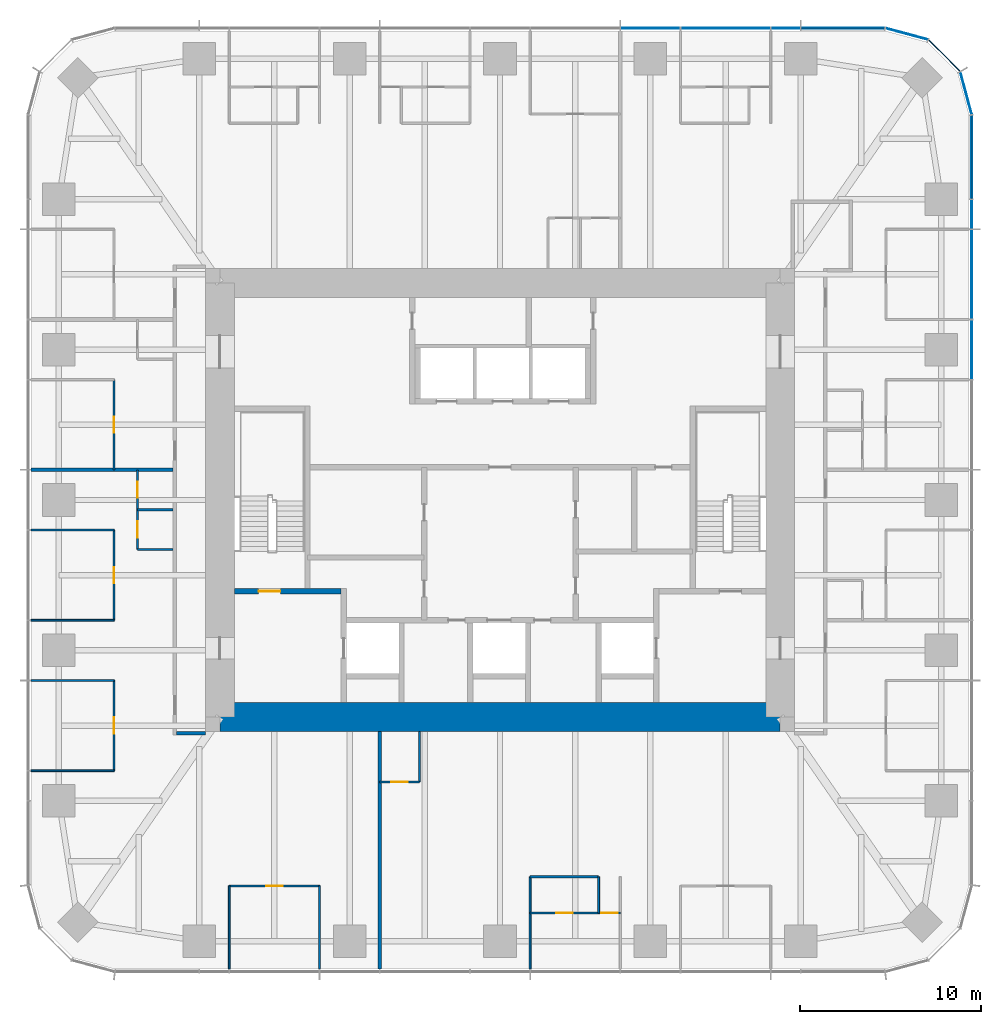
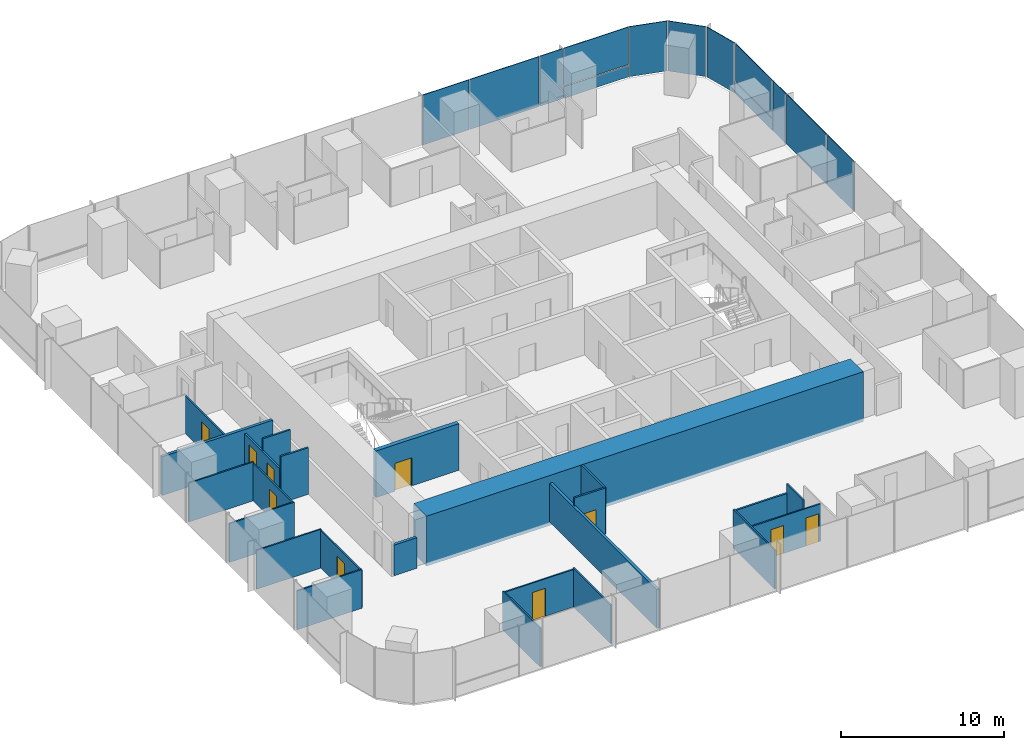
# One storey, part 8 of 12: 24 walls, 13 plates, 10 doors, 10 openings, 3 elements without a shape of their own.
"""IFC4 building model written with IfcOpenShell, lengths in metres."""

import ifcopenshell
import ifcopenshell.guid

model = None  # the IFC model being written
_history = None  # IfcOwnerHistory: only IFC2X3 demands one
_inside = {}  # id of a spatial element -> (the spatial element, [elements in it])
_under = {}  # id of a project, library or spatial element -> (it, [spatial elements below it])
_declared = {}  # id of a project -> (the project, [libraries it declares])
_typed = {}  # id of a type object -> (the type object, [elements of that type])
_made_of = {}  # id of a material, layer set ... -> (it, [elements and type objects made of it])


def new_model(schema):
    """Start an empty IFC model of exactly this schema.

    Asked for "IFC4X3", IfcOpenShell would pick the latest addendum, in which some entities
    have other attributes; the version numbers below select the first issue.
    IFC2X3 requires an IfcOwnerHistory on every rooted entity: one is made here for all.
    """
    global model, _history
    if schema == "IFC4X3":
        model = ifcopenshell.file(schema_version=(4, 3, 0, 0))
    else:
        model = ifcopenshell.file(schema=schema)
    _inside.clear()
    _under.clear()
    _declared.clear()
    _typed.clear()
    _made_of.clear()
    _history = None
    if model.schema == "IFC2X3":
        org = make("IfcOrganization", Name="unknown")
        user = make(
            "IfcPersonAndOrganization",
            ThePerson=make("IfcPerson", FamilyName="unknown"),
            TheOrganization=org,
        )
        app = make(
            "IfcApplication",
            ApplicationDeveloper=org,
            Version="unknown",
            ApplicationFullName="unknown",
            ApplicationIdentifier="unknown",
        )
        _history = make(
            "IfcOwnerHistory",
            OwningUser=user,
            OwningApplication=app,
            ChangeAction="ADDED",
            CreationDate=0,
        )
    return model


def make(cls, **values):
    """One entity of the class cls with the attributes given. An attribute that is None is left unset."""
    return model.create_entity(
        cls, **{name: value for name, value in values.items() if value is not None}
    )


def rooted(cls, **values):
    """An entity with a GlobalId (a new one), such as an element, a storey or a relation."""
    return make(cls, GlobalId=ifcopenshell.guid.new(), OwnerHistory=_history, **values)


def si_unit(unit_type, name, prefix=None):
    """IfcSIUnit, for example si_unit("LENGTHUNIT", "METRE", prefix="MILLI")."""
    return make("IfcSIUnit", UnitType=unit_type, Prefix=prefix, Name=name)


def assignment(units):
    """IfcUnitAssignment: the units of a project."""
    return None if units is None else make("IfcUnitAssignment", Units=units)


def point(xyz):
    """IfcCartesianPoint."""
    return None if xyz is None else make("IfcCartesianPoint", Coordinates=xyz)


def direction(xyz):
    """IfcDirection."""
    return None if xyz is None else make("IfcDirection", DirectionRatios=xyz)


def frame(location, z_axis=None, x_axis=None):
    """IfcAxis2Placement3D, a coordinate frame: its origin and axes. An axis left out is left unset."""
    return make(
        "IfcAxis2Placement3D",
        Location=point(location),
        Axis=direction(z_axis),
        RefDirection=direction(x_axis),
    )


def frame_2d(location, x_axis=None):
    """IfcAxis2Placement2D, a coordinate frame in the plane: its origin and x axis."""
    return make(
        "IfcAxis2Placement2D", Location=point(location), RefDirection=direction(x_axis)
    )


def origin():
    """The frame at (0, 0, 0) with its axes left unset."""
    return frame((0.0, 0.0, 0.0))


def origin_2d():
    """The frame at (0, 0) in the plane with its x axis left unset."""
    return frame_2d((0.0, 0.0))


def place(relative_to, where):
    """IfcLocalPlacement: puts the frame where relative to a parent placement (None: the world)."""
    return make(
        "IfcLocalPlacement", PlacementRelTo=relative_to, RelativePlacement=where
    )


def context(
    kind, dimensions, precision=None, world=None, true_north=None, identifier=None
):
    """IfcGeometricRepresentationContext, for example the 3D "Model" context."""
    return make(
        "IfcGeometricRepresentationContext",
        ContextIdentifier=identifier,
        ContextType=kind,
        CoordinateSpaceDimension=dimensions,
        Precision=precision,
        WorldCoordinateSystem=world,
        TrueNorth=true_north,
    )


def subcontext(parent, identifier, kind, view, scale=None):
    """IfcGeometricRepresentationSubContext, for example "Body" below "Model"."""
    return make(
        "IfcGeometricRepresentationSubContext",
        ContextIdentifier=identifier,
        ContextType=kind,
        ParentContext=parent,
        TargetScale=scale,
        TargetView=view,
    )


def project(units=None, contexts=None):
    """IfcProject with its units and contexts."""
    return rooted(
        "IfcProject",
        Name="project",
        RepresentationContexts=contexts,
        UnitsInContext=assignment(units),
    )


def spatial(cls, under=None, at=None, **own):
    """A site, building, storey or space (cls), placed at a placement, below another one or the project."""
    s = rooted(cls, ObjectPlacement=at, **own)
    if under is not None:
        _under.setdefault(under.id(), (under, []))[1].append(s)
    return s


def profile(cls, at=None, kind="AREA", **sizes):
    """A parametric profile (cls). Its sizes go by their IFC names, for example OverallWidth=200.0."""
    return make(cls, ProfileType=kind, Position=at, **sizes)


def rectangle(**sizes):
    """IfcRectangleProfileDef."""
    return profile("IfcRectangleProfileDef", **sizes)


def extrude(swept, where, along, depth):
    """IfcExtrudedAreaSolid: the profile swept, set in the frame where, extruded along a direction by depth."""
    return make(
        "IfcExtrudedAreaSolid",
        SweptArea=swept,
        Position=where,
        ExtrudedDirection=direction(along),
        Depth=depth,
    )


def shape(context_of_items, identifier, shape_type, items):
    """IfcShapeRepresentation: the items that make up one representation, for example the "Body"."""
    return make(
        "IfcShapeRepresentation",
        ContextOfItems=context_of_items,
        RepresentationIdentifier=identifier,
        RepresentationType=shape_type,
        Items=items,
    )


def material(Name=None, Category=None):
    """IfcMaterial."""
    return make("IfcMaterial", Name=Name, Category=Category)


def layer(
    of_material, thickness, ventilated=None, Name=None, Category=None, Priority=None
):
    """IfcMaterialLayer: one layer of a wall or slab, of a material (None: an air gap)."""
    return make(
        "IfcMaterialLayer",
        Material=of_material,
        LayerThickness=thickness,
        IsVentilated=ventilated,
        Name=Name,
        Category=Category,
        Priority=Priority,
    )


def layer_set(layers, Name=None):
    """IfcMaterialLayerSet."""
    return make("IfcMaterialLayerSet", MaterialLayers=layers, LayerSetName=Name)


def made_of(thing, what):
    """Note that an element or type object is made of a material, layer set ...; save() writes the relation."""
    if what is not None:
        _made_of.setdefault(what.id(), (what, []))[1].append(thing)
    return thing


def type_object(cls, material=None, **own):
    """A type object (cls), such as IfcWallType, which elements share."""
    return made_of(rooted(cls, **own), material)


def element(
    cls,
    number,
    at=None,
    inside=None,
    cuts=None,
    type_object=None,
    material=None,
    context=None,
    identifier="Body",
    shape_type=None,
    held_by="IfcProductDefinitionShape",
    body=None,
    shapes=None,
    **own,
):
    """One element of the class cls, such as IfcWall. Its Tag is "e" and its number.

    at: its placement. inside: the storey or other place that contains it. cuts: it is an
    opening in that element (IfcRelVoidsElement). A single representation is given by context,
    identifier, shape_type and body (its items); several are given by shapes. held_by: the class
    of the entity that holds the representations. save() writes the other relations.
    """
    e = rooted(cls, Tag="e%d" % number, ObjectPlacement=at, **own)
    if body is not None:
        shapes = [shape(context, identifier, shape_type, body)]
    if shapes is not None:
        e.Representation = make(held_by, Representations=shapes)
    if inside is not None:
        _inside.setdefault(inside.id(), (inside, []))[1].append(e)
    if cuts is not None:
        rooted(
            "IfcRelVoidsElement", RelatingBuildingElement=cuts, RelatedOpeningElement=e
        )
    if type_object is not None:
        _typed.setdefault(type_object.id(), (type_object, []))[1].append(e)
    return made_of(e, material)


def fill(opening, filler):
    """IfcRelFillsElement: the door or window that sits in an opening."""
    return rooted(
        "IfcRelFillsElement",
        RelatingOpeningElement=opening,
        RelatedBuildingElement=filler,
    )


def aggregate(whole, parts):
    """IfcRelAggregates: a whole, such as a stair, and the parts it consists of."""
    return rooted("IfcRelAggregates", RelatingObject=whole, RelatedObjects=parts)


def save(model, path):
    """Write the relations noted so far, then the file.

    IfcRelAggregates (storeys below a building ...), IfcRelContainedInSpatialStructure (elements
    in a storey), IfcRelDefinesByType, IfcRelAssociatesMaterial and IfcRelDeclares: one each for
    every whole, place, type object, material and project.
    """
    for whole, parts in _under.values():
        aggregate(whole, parts)
    for where, things in _inside.values():
        rooted(
            "IfcRelContainedInSpatialStructure",
            RelatedElements=things,
            RelatingStructure=where,
        )
    for kind, things in _typed.values():
        rooted("IfcRelDefinesByType", RelatedObjects=things, RelatingType=kind)
    for what, things in _made_of.values():
        rooted("IfcRelAssociatesMaterial", RelatedObjects=things, RelatingMaterial=what)
    for by, libraries in _declared.values():
        rooted("IfcRelDeclares", RelatingContext=by, RelatedDefinitions=libraries)
    model.write(path)


model = new_model("IFC4")

# Units and contexts
model_context = context("Model", 3, precision=1e-05, world=origin(), true_north=direction((0.0, 1.0)))
body_context = subcontext(model_context, "Body", "Model", "MODEL_VIEW")
ifc_project = project(units=[si_unit("LENGTHUNIT", "METRE"), si_unit("AREAUNIT", "SQUARE_METRE"), si_unit("VOLUMEUNIT", "CUBIC_METRE"), si_unit("PLANEANGLEUNIT", "RADIAN"), si_unit("MASSUNIT", "GRAM", prefix="KILO")], contexts=[model_context])

# Site, building, storey
site_placement = place(None, origin())
site = spatial("IfcSite", under=ifc_project, at=site_placement, CompositionType="ELEMENT")
building_placement = place(site_placement, origin())
building = spatial("IfcBuilding", under=site, at=building_placement, Name="Khuree Lantern Residences", CompositionType="ELEMENT")
storey_placement = place(building_placement, frame((0.0, 0.0, 240.75)))
storey = spatial("IfcBuildingStorey", under=building, at=storey_placement, Name="L60", CompositionType="ELEMENT", Elevation=240.75)

# Curtain wall, plates
ifc_material_1 = material(Name="Bronze anodised aluminium", Category="aluminium")
curtain_wall_type_1 = type_object("IfcCurtainWallType", Name="CW-T2 TOWER CORNER CURTAIN WALL", PredefinedType="USERDEFINED", material=ifc_material_1)
curtain_wall_1_placement = place(storey_placement, origin())
curtain_wall_1 = element("IfcCurtainWall", 1, at=curtain_wall_1_placement, inside=storey, type_object=curtain_wall_type_1, Name="L60 NORTH-EAST CORNER CURTAIN WALL", ObjectType="Faceted corner curtain wall", PredefinedType="USERDEFINED")
ifc_material_2 = material(Name="Bronze tinted triple glazing", Category="glass")
ifc_layer_1 = layer(ifc_material_2, 0.048095703125)
ifc_layer_set_1 = layer_set([ifc_layer_1], Name="FACET PANEL P4")
plate_type_1 = type_object("IfcPlateType", Name="FACET PANEL P4", PredefinedType="CURTAIN_PANEL", material=ifc_layer_set_1)
plate_1_placement = place(storey_placement, frame((25.779052734375, 22.498046875, 0.0), z_axis=(0.0, 0.0, 1.0), x_axis=(-0.258819021888, 0.965925832509, 0.0)))
plate_1 = element("IfcPlate", 2, at=plate_1_placement, type_object=plate_type_1, Name="L60 NORTH-EAST CORNER PANEL 15.1", PredefinedType="CURTAIN_PANEL", context=body_context, shape_type="SweptSolid", body=[
    extrude(rectangle(XDim=2.40869140625, YDim=0.048095703125, at=origin_2d()), origin(), (0.0, 0.0, 1.0), 3.75),
])
plate_2_placement = place(storey_placement, frame((24.578369140625, 24.578369140625, 0.0), z_axis=(0.0, 0.0, 1.0), x_axis=(-0.707106781187, 0.707106781187, 0.0)))
plate_2 = element("IfcPlate", 3, at=plate_2_placement, type_object=plate_type_1, Name="L60 NORTH-EAST CORNER PANEL 16.1", PredefinedType="CURTAIN_PANEL", context=body_context, shape_type="SweptSolid", body=[
    extrude(rectangle(XDim=2.404541015625, YDim=0.048095703125, at=origin_2d()), origin(), (0.0, 0.0, 1.0), 3.75),
])
plate_3_placement = place(storey_placement, frame((22.498046875, 25.779052734375, 0.0), z_axis=(0.0, 0.0, 1.0), x_axis=(-0.965925832509, 0.258819021888, 0.0)))
plate_3 = element("IfcPlate", 4, at=plate_3_placement, type_object=plate_type_1, Name="L60 NORTH-EAST CORNER PANEL 17.1", PredefinedType="CURTAIN_PANEL", context=body_context, shape_type="SweptSolid", body=[
    extrude(rectangle(XDim=2.40869140625, YDim=0.048095703125, at=origin_2d()), origin(), (0.0, 0.0, 1.0), 3.75),
])
aggregate(curtain_wall_1, [plate_1, plate_2, plate_3])

# Curtain wall, plate
curtain_wall_type_2 = type_object("IfcCurtainWallType", Name="CW-T1 TOWER FACE CURTAIN WALL", PredefinedType="USERDEFINED", material=ifc_material_1)
curtain_wall_2_placement = place(storey_placement, origin())
curtain_wall_2 = element("IfcCurtainWall", 5, at=curtain_wall_2_placement, inside=storey, type_object=curtain_wall_type_2, Name="L60 EAST FACE CURTAIN WALL", ObjectType="Stick-built curtain wall", PredefinedType="USERDEFINED")
ifc_material_3 = material(Name="Bronze tinted triple glazing with a ceramic-fritted spandrel band", Category="glass")
ifc_layer_2 = layer(ifc_material_3, 0.048095703125)
ifc_layer_set_2 = layer_set([ifc_layer_2], Name="FIXED LIGHT PANEL P11")
plate_type_2 = type_object("IfcPlateType", Name="FIXED LIGHT PANEL P11", PredefinedType="CURTAIN_PANEL", material=ifc_layer_set_2)
plate_4_placement = place(storey_placement, frame((26.10009765625, 12.47998046875, 0.0), z_axis=(0.0, 0.0, 1.0), x_axis=(0.0, 1.0, 0.0)))
plate_4 = element("IfcPlate", 6, at=plate_4_placement, type_object=plate_type_2, Name="L60 EAST FACE PANEL 12.1", PredefinedType="CURTAIN_PANEL", context=body_context, shape_type="SweptSolid", body=[
    extrude(rectangle(XDim=4.927001953125, YDim=0.048095703125, at=origin_2d()), origin(), (0.0, 0.0, 1.0), 3.75),
])

curtain_wall_3_placement = place(storey_placement, origin())
curtain_wall_3 = element("IfcCurtainWall", 7, at=curtain_wall_3_placement, inside=storey, type_object=curtain_wall_type_2, Name="L60 NORTH FACE CURTAIN WALL", ObjectType="Stick-built curtain wall", PredefinedType="USERDEFINED")
plate_5_placement = place(storey_placement, frame((12.47998046875, 26.10009765625, 0.0), z_axis=(0.0, 0.0, 1.0), x_axis=(-1.0, 0.0, 0.0)))
plate_5 = element("IfcPlate", 8, at=plate_5_placement, type_object=plate_type_2, Name="L60 NORTH FACE PANEL 20.1", PredefinedType="CURTAIN_PANEL", context=body_context, shape_type="SweptSolid", body=[
    extrude(rectangle(XDim=4.927001953125, YDim=0.048095703125, at=origin_2d()), origin(), (0.0, 0.0, 1.0), 3.75),
])

# Plate
ifc_material_4 = material(Name="Bronze tinted triple glazing, two aluminium-framed sashes in one frame", Category="aluminium")
ifc_layer_3 = layer(ifc_material_4, 0.048095703125)
ifc_layer_set_3 = layer_set([ifc_layer_3], Name="SASH PAIR PANEL P12")
plate_type_3 = type_object("IfcPlateType", Name="SASH PAIR PANEL P12", PredefinedType="CURTAIN_PANEL", material=ifc_layer_set_3)
plate_6_placement = place(storey_placement, frame((26.10009765625, 8.320068359375, 0.0), z_axis=(0.0, 0.0, 1.0), x_axis=(0.0, 1.0, 0.0)))
plate_6 = element("IfcPlate", 9, at=plate_6_placement, type_object=plate_type_3, Name="L60 EAST FACE PANEL 11.1", PredefinedType="CURTAIN_PANEL", context=body_context, shape_type="SweptSolid", body=[
    extrude(rectangle(XDim=3.262939453125, YDim=0.048095703125, at=origin_2d()), origin(), (0.0, 0.0, 1.0), 3.75),
])

plate_7_placement = place(storey_placement, frame((8.320068359375, 26.10009765625, 0.0), z_axis=(0.0, 0.0, 1.0), x_axis=(-1.0, 0.0, 0.0)))
plate_7 = element("IfcPlate", 10, at=plate_7_placement, type_object=plate_type_3, Name="L60 NORTH FACE PANEL 21.1", PredefinedType="CURTAIN_PANEL", context=body_context, shape_type="SweptSolid", body=[
    extrude(rectangle(XDim=3.262939453125, YDim=0.048095703125, at=origin_2d()), origin(), (0.0, 0.0, 1.0), 3.75),
])

ifc_material_5 = material(Name="Bronze tinted triple glazing, aluminium-framed sash", Category="aluminium")
ifc_layer_4 = layer(ifc_material_5, 0.048095703125)
ifc_layer_set_4 = layer_set([ifc_layer_4], Name="SASH PANEL P3")
plate_type_4 = type_object("IfcPlateType", Name="SASH PANEL P3", PredefinedType="CURTAIN_PANEL", material=ifc_layer_set_4)
plate_8_placement = place(storey_placement, frame((26.10009765625, 15.80810546875, 0.0), z_axis=(0.0, 0.0, 1.0), x_axis=(0.0, 1.0, 0.0)))
plate_8 = element("IfcPlate", 11, at=plate_8_placement, type_object=plate_type_4, Name="L60 EAST FACE PANEL 13.1", PredefinedType="CURTAIN_PANEL", context=body_context, shape_type="SweptSolid", body=[
    extrude(rectangle(XDim=1.59912109375, YDim=0.048095703125, at=origin_2d()), origin(), (0.0, 0.0, 1.0), 3.75),
])

plate_9_placement = place(storey_placement, frame((15.80810546875, 26.10009765625, 0.0), z_axis=(0.0, 0.0, 1.0), x_axis=(-1.0, 0.0, 0.0)))
plate_9 = element("IfcPlate", 12, at=plate_9_placement, type_object=plate_type_4, Name="L60 NORTH FACE PANEL 19.1", PredefinedType="CURTAIN_PANEL", context=body_context, shape_type="SweptSolid", body=[
    extrude(rectangle(XDim=1.59912109375, YDim=0.048095703125, at=origin_2d()), origin(), (0.0, 0.0, 1.0), 3.75),
])

ifc_material_6 = material(Name="Bronze anodised aluminium insulated spandrel", Category="aluminium")
ifc_layer_5 = layer(ifc_material_6, 0.06005859375)
ifc_layer_set_5 = layer_set([ifc_layer_5], Name="SPANDREL PANEL P2")
plate_type_5 = type_object("IfcPlateType", Name="SPANDREL PANEL P2", PredefinedType="CURTAIN_PANEL", material=ifc_layer_set_5)
plate_10_placement = place(storey_placement, frame((26.10009765625, 18.9677734375, 0.0), z_axis=(0.0, 0.0, 1.0), x_axis=(0.0, 1.0, 0.0)))
plate_10 = element("IfcPlate", 13, at=plate_10_placement, type_object=plate_type_5, Name="L60 EAST FACE PANEL 14.1", PredefinedType="CURTAIN_PANEL", context=body_context, shape_type="SweptSolid", body=[
    extrude(rectangle(XDim=4.5908203125, YDim=0.06005859375, at=origin_2d()), origin(), (0.0, 0.0, 1.0), 0.867431640625),
])

plate_11_placement = place(storey_placement, frame((18.9677734375, 26.10009765625, 0.0), z_axis=(0.0, 0.0, 1.0), x_axis=(-1.0, 0.0, 0.0)))
plate_11 = element("IfcPlate", 14, at=plate_11_placement, type_object=plate_type_5, Name="L60 NORTH FACE PANEL 18.1", PredefinedType="CURTAIN_PANEL", context=body_context, shape_type="SweptSolid", body=[
    extrude(rectangle(XDim=4.5908203125, YDim=0.06005859375, at=origin_2d()), origin(), (0.0, 0.0, 1.0), 0.867431640625),
])

ifc_layer_6 = layer(ifc_material_2, 0.048095703125)
ifc_layer_set_6 = layer_set([ifc_layer_6], Name="VISION PANEL P1")
plate_type_6 = type_object("IfcPlateType", Name="VISION PANEL P1", PredefinedType="CURTAIN_PANEL", material=ifc_layer_set_6)
plate_12_placement = place(storey_placement, frame((26.10009765625, 18.96826171875, 0.9326171875), z_axis=(0.0, 0.0, 1.0), x_axis=(0.0, 1.0, 0.0)))
plate_12 = element("IfcPlate", 15, at=plate_12_placement, type_object=plate_type_6, Name="L60 EAST FACE PANEL 14.2", PredefinedType="CURTAIN_PANEL", context=body_context, shape_type="SweptSolid", body=[
    extrude(rectangle(XDim=4.591552734375, YDim=0.048095703125, at=origin_2d()), origin(), (0.0, 0.0, 1.0), 2.8173828125),
])

aggregate(curtain_wall_2, [plate_6, plate_4, plate_8, plate_10, plate_12])

plate_13_placement = place(storey_placement, frame((18.96826171875, 26.10009765625, 0.9326171875), z_axis=(0.0, 0.0, 1.0), x_axis=(-1.0, 0.0, 0.0)))
plate_13 = element("IfcPlate", 16, at=plate_13_placement, type_object=plate_type_6, Name="L60 NORTH FACE PANEL 18.2", PredefinedType="CURTAIN_PANEL", context=body_context, shape_type="SweptSolid", body=[
    extrude(rectangle(XDim=4.591552734375, YDim=0.048095703125, at=origin_2d()), origin(), (0.0, 0.0, 1.0), 2.8173828125),
])

aggregate(curtain_wall_3, [plate_11, plate_13, plate_9, plate_5, plate_7])

# Wall, openings, doors
ifc_material_7 = material(Name="Moisture-resistant gypsum board on steel studs", Category="steel")
ifc_layer_7 = layer(ifc_material_7, 0.125)
ifc_layer_set_7 = layer_set([ifc_layer_7], Name="BATHROOM WALL BTW125")
wall_type_1 = type_object("IfcWallType", Name="BATHROOM WALL BTW125", PredefinedType="PARTITIONING", material=ifc_layer_set_7)
wall_1_placement = place(storey_placement, frame((-20.050048828125, 1.6640625, 0.0), z_axis=(0.0, 0.0, 1.0), x_axis=(0.0, -1.0, 0.0)))
wall_1 = element("IfcWall", 17, at=wall_1_placement, inside=storey, type_object=wall_type_1, Name="L60 BATHROOM WALL 05", PredefinedType="PARTITIONING", context=body_context, shape_type="SweptSolid", body=[
    extrude(rectangle(XDim=4.400146484375, YDim=0.125, at=frame_2d((2.2001953125, 0.0))), origin(), (0.0, 0.0, 1.0), 2.60009765625),
])
opening_1_placement = place(wall_1_placement, frame((0.64990234375, 0.0, 0.0)))
opening_1 = element("IfcOpeningElement", 18, at=opening_1_placement, cuts=wall_1, Name="Opening 60-048", PredefinedType="OPENING", context=body_context, shape_type="SweptSolid", body=[
    extrude(rectangle(XDim=0.89990234375, YDim=2.10009765625, at=frame_2d((0.449951171875, 1.050048828125))), frame((0.0, 0.072509765625, 0.0), z_axis=(0.0, -1.0, 0.0), x_axis=(1.0, 0.0, 0.0)), (0.0, 0.0, 1.0), 0.14501953125),
])
opening_2_placement = place(wall_1_placement, frame((2.85009765625, 0.0, 0.0)))
opening_2 = element("IfcOpeningElement", 19, at=opening_2_placement, cuts=wall_1, Name="Opening 60-049", PredefinedType="OPENING", context=body_context, shape_type="SweptSolid", body=[
    extrude(rectangle(XDim=0.89990234375, YDim=2.10009765625, at=frame_2d((0.449951171875, 1.050048828125))), frame((0.0, 0.072509765625, 0.0), z_axis=(0.0, -1.0, 0.0), x_axis=(1.0, 0.0, 0.0)), (0.0, 0.0, 1.0), 0.14501953125),
])
ifc_material_8 = material(Name="Timber door leaf in hardwood frame", Category="wood")
door_type_1 = type_object("IfcDoorType", Name="BATHROOM DOOR 900X2100", OperationType="SINGLE_SWING_LEFT", PredefinedType="DOOR", material=ifc_material_8)
door_1_placement = place(opening_1_placement, origin())
door_1 = element("IfcDoor", 20, at=door_1_placement, inside=storey, type_object=door_type_1, Name="Bathroom door 60-048", OperationType="SINGLE_SWING_LEFT", OverallHeight=2.10009765625, OverallWidth=0.89990234375, PredefinedType="DOOR", context=body_context, shape_type="SweptSolid", body=[
    extrude(rectangle(XDim=0.89990234375, YDim=2.10009765625, at=frame_2d((0.449951171875, 1.050048828125))), frame((0.0, 0.02490234375, 0.0), z_axis=(0.0, -1.0, 0.0), x_axis=(1.0, 0.0, 0.0)), (0.0, 0.0, 1.0), 0.050048828125),
])
fill(opening_1, door_1)
door_2_placement = place(opening_2_placement, origin())
door_2 = element("IfcDoor", 21, at=door_2_placement, inside=storey, type_object=door_type_1, Name="Bathroom door 60-049", OperationType="SINGLE_SWING_LEFT", OverallHeight=2.10009765625, OverallWidth=0.89990234375, PredefinedType="DOOR", context=body_context, shape_type="SweptSolid", body=[
    extrude(rectangle(XDim=0.89990234375, YDim=2.10009765625, at=frame_2d((0.449951171875, 1.050048828125))), frame((0.0, 0.02490234375, 0.0), z_axis=(0.0, -1.0, 0.0), x_axis=(1.0, 0.0, 0.0)), (0.0, 0.0, 1.0), 0.050048828125),
])
fill(opening_2, door_2)

# Walls
for number, where, z_axis, x_axis, name in (
    (22, (-18.10009765625, -0.535888671875, 0.0), (0.0, 0.0, 1.0), (-1.0, 0.0, 0.0), "L60 BATHROOM WALL 05"),
    (23, (-18.10009765625, -2.736083984375, 0.0), (0.0, 0.0, 1.0), (-1.0, 0.0, 0.0), "L60 BATHROOM WALL 05"),
):
    element("IfcWall", number, at=place(storey_placement, frame(where, z_axis=z_axis, x_axis=x_axis)), inside=storey, type_object=wall_type_1, Name=name, PredefinedType="PARTITIONING", context=body_context, shape_type="SweptSolid", body=[
        extrude(rectangle(XDim=1.949951171875, YDim=0.125, at=frame_2d((0.97509765625, 0.0))), origin(), (0.0, 0.0, 1.0), 3.5),
    ])
wall_2_placement = place(storey_placement, frame((1.6640625, -20.844970703125, 0.0), z_axis=(0.0, 0.0, 1.0), x_axis=(1.0, 0.0, 0.0)))
element("IfcWall", 24, at=wall_2_placement, inside=storey, type_object=wall_type_1, Name="L60 BATHROOM WALL 06", PredefinedType="PARTITIONING", context=body_context, shape_type="SweptSolid", body=[
    extrude(rectangle(XDim=3.7919921875, YDim=0.125, at=frame_2d((1.89599609375, 0.0))), origin(), (0.0, 0.0, 1.0), 2.81005859375),
])

# Wall, opening, door
wall_3_placement = place(storey_placement, frame((-6.656005859375, -15.60009765625, 0.0), z_axis=(0.0, 0.0, 1.0), x_axis=(1.0, 0.0, 0.0)))
wall_3 = element("IfcWall", 25, at=wall_3_placement, inside=storey, type_object=wall_type_1, Name="L60 BATHROOM WALL 06", PredefinedType="PARTITIONING", context=body_context, shape_type="SweptSolid", body=[
    extrude(rectangle(XDim=2.199951171875, YDim=0.125, at=frame_2d((1.10009765625, 0.0))), origin(), (0.0, 0.0, 1.0), 3.5),
])
opening_3_placement = place(wall_3_placement, frame((0.64990234375, 0.0, 0.0)))
opening_3 = element("IfcOpeningElement", 26, at=opening_3_placement, cuts=wall_3, Name="Opening 60-055", PredefinedType="OPENING", context=body_context, shape_type="SweptSolid", body=[
    extrude(rectangle(XDim=0.89990234375, YDim=2.10009765625, at=frame_2d((0.449951171875, 1.050048828125))), frame((0.0, 0.072509765625, 0.0), z_axis=(0.0, -1.0, 0.0), x_axis=(1.0, 0.0, 0.0)), (0.0, 0.0, 1.0), 0.14501953125),
])
door_3_placement = place(opening_3_placement, origin())
door_3 = element("IfcDoor", 27, at=door_3_placement, inside=storey, type_object=door_type_1, Name="Bathroom door 60-055", OperationType="SINGLE_SWING_LEFT", OverallHeight=2.10009765625, OverallWidth=0.89990234375, PredefinedType="DOOR", context=body_context, shape_type="SweptSolid", body=[
    extrude(rectangle(XDim=0.89990234375, YDim=2.10009765625, at=frame_2d((0.449951171875, 1.050048828125))), frame((0.0, 0.02490234375, 0.0), z_axis=(0.0, -1.0, 0.0), x_axis=(1.0, 0.0, 0.0)), (0.0, 0.0, 1.0), 0.050048828125),
])
fill(opening_3, door_3)

# Walls
wall_4_placement = place(storey_placement, frame((-4.4560546875, -12.800048828125, 0.0), z_axis=(0.0, 0.0, 1.0), x_axis=(0.0, -1.0, 0.0)))
element("IfcWall", 28, at=wall_4_placement, inside=storey, type_object=wall_type_1, Name="L60 BATHROOM WALL 06", PredefinedType="PARTITIONING", context=body_context, shape_type="SweptSolid", body=[
    extrude(rectangle(XDim=2.800048828125, YDim=0.125, at=frame_2d((1.39990234375, 0.0))), origin(), (0.0, 0.0, 1.0), 3.5),
])
ifc_material_9 = material(Name="Gypsum board on steel studs", Category="steel")
ifc_layer_8 = layer(ifc_material_9, 0.199951171875)
ifc_layer_set_8 = layer_set([ifc_layer_8], Name="CORRIDOR WALL CRW200 EI 60")
wall_type_2 = type_object("IfcWallType", Name="CORRIDOR WALL CRW200 EI 60", PredefinedType="PARTITIONING", material=ifc_layer_set_8)
wall_5_placement = place(storey_placement, frame((-16.300048828125, -12.89990234375, 0.0), z_axis=(0.0, 0.0, 1.0), x_axis=(-1.0, 0.0, 0.0)))
element("IfcWall", 29, at=wall_5_placement, inside=storey, type_object=wall_type_2, Name="L60 WEST CORRIDOR SOUTH END WALL", PredefinedType="PARTITIONING", context=body_context, shape_type="SweptSolid", body=[
    extrude(rectangle(XDim=1.599853515625, YDim=0.199951171875, at=frame_2d((0.7998046875, 0.0))), origin(), (0.0, 0.0, 1.0), 2.300048828125),
])
ifc_material_10 = material(Name="Concrete C50/60", Category="concrete")
ifc_layer_9 = layer(ifc_material_10, 1.60009765625)
ifc_layer_set_9 = layer_set([ifc_layer_9], Name="CW1600-C50 CORE WALL C50 1600")
wall_type_3 = type_object("IfcWallType", Name="CW1600-C50 CORE WALL C50 1600", PredefinedType="SHEAR", material=ifc_layer_set_9)
wall_6_placement = place(storey_placement, frame((-15.5, -12.0, -0.25), z_axis=(0.0, 0.0, 1.0), x_axis=(1.0, 0.0, 0.0)))
element("IfcWall", 30, at=wall_6_placement, inside=storey, type_object=wall_type_3, Name="Core wall S", PredefinedType="SHEAR", context=body_context, shape_type="SweptSolid", body=[
    extrude(rectangle(XDim=31.0, YDim=1.60009765625, at=frame_2d((15.5, 0.0))), origin(), (0.0, 0.0, 1.0), 3.75),
])
ifc_layer_10 = layer(ifc_material_9, 0.199951171875)
ifc_layer_set_10 = layer_set([ifc_layer_10], Name="DEMISING WALL DMW200 EI 90")
wall_type_4 = type_object("IfcWallType", Name="DEMISING WALL DMW200 EI 90", PredefinedType="PARTITIONING", material=ifc_layer_set_10)
wall_7_placement = place(storey_placement, frame((-18.10009765625, 1.6640625, 0.0), z_axis=(0.0, 0.0, 1.0), x_axis=(-1.0, 0.0, 0.0)))
element("IfcWall", 31, at=wall_7_placement, inside=storey, type_object=wall_type_4, Name="L60 DEMISING WALL 05", PredefinedType="PARTITIONING", context=body_context, shape_type="SweptSolid", body=[
    extrude(rectangle(XDim=7.849853515625, YDim=0.199951171875, at=frame_2d((3.9248046875, 0.0))), origin(), (0.0, 0.0, 1.0), 2.909912109375),
])
wall_8_placement = place(storey_placement, frame((-6.656005859375, -12.800048828125, 0.0), z_axis=(0.0, 0.0, 1.0), x_axis=(0.0, -1.0, 0.0)))
element("IfcWall", 32, at=wall_8_placement, inside=storey, type_object=wall_type_4, Name="L60 DEMISING WALL 06", PredefinedType="PARTITIONING", context=body_context, shape_type="SweptSolid", body=[
    extrude(rectangle(XDim=13.14990234375, YDim=0.199951171875, at=frame_2d((6.574951171875, 0.0))), origin(), (0.0, 0.0, 1.0), 2.909912109375),
])
ifc_layer_11 = layer(ifc_material_9, 0.10009765625)
ifc_layer_set_11 = layer_set([ifc_layer_11], Name="PARTITION PT100")
wall_type_5 = type_object("IfcWallType", Name="PARTITION PT100", PredefinedType="PARTITIONING", material=ifc_layer_set_11)
for number, where, z_axis, x_axis, name in (
    (33, (-21.35009765625, -1.6640625, 0.0), (0.0, 0.0, 1.0), (-1.0, 0.0, 0.0), "L60 PARTITION 05"),
    (34, (-21.35009765625, -6.656005859375, 0.0), (0.0, 0.0, 1.0), (-1.0, 0.0, 0.0), "L60 PARTITION 05"),
    (35, (-21.35009765625, -9.98388671875, 0.0), (0.0, 0.0, 1.0), (-1.0, 0.0, 0.0), "L60 PARTITION 05"),
    (36, (-21.35009765625, -14.97607421875, 0.0), (0.0, 0.0, 1.0), (-1.0, 0.0, 0.0), "L60 PARTITION 05"),
    (37, (-14.97607421875, -21.35009765625, 0.0), (0.0, 0.0, 1.0), (0.0, -1.0, 0.0), "L60 PARTITION 05"),
    (38, (-9.98388671875, -21.35009765625, 0.0), (0.0, 0.0, 1.0), (0.0, -1.0, 0.0), "L60 PARTITION 05"),
):
    element("IfcWall", number, at=place(storey_placement, frame(where, z_axis=z_axis, x_axis=x_axis)), inside=storey, type_object=wall_type_5, Name=name, PredefinedType="PARTITIONING", context=body_context, shape_type="SweptSolid", body=[
        extrude(rectangle(XDim=4.599853515625, YDim=0.10009765625, at=frame_2d((2.2998046875, 0.0))), origin(), (0.0, 0.0, 1.0), 2.909912109375),
    ])
wall_9_placement = place(storey_placement, frame((1.6640625, -20.844970703125, 0.0), z_axis=(0.0, 0.0, 1.0), x_axis=(0.0, -1.0, 0.0)))
element("IfcWall", 39, at=wall_9_placement, inside=storey, type_object=wall_type_5, Name="L60 PARTITION 06", PredefinedType="PARTITIONING", context=body_context, shape_type="SweptSolid", body=[
    extrude(rectangle(XDim=5.10498046875, YDim=0.10009765625, at=frame_2d((2.552490234375, 0.0))), origin(), (0.0, 0.0, 1.0), 2.909912109375),
])

# Wall, opening, door
wall_10_placement = place(storey_placement, frame((-21.35009765625, 6.656005859375, 0.0), z_axis=(0.0, 0.0, 1.0), x_axis=(0.0, -1.0, 0.0)))
wall_10 = element("IfcWall", 40, at=wall_10_placement, inside=storey, type_object=wall_type_5, Name="L60 PARTITION 04", PredefinedType="PARTITIONING", context=body_context, shape_type="SweptSolid", body=[
    extrude(rectangle(XDim=4.991943359375, YDim=0.10009765625, at=frame_2d((2.49609375, 0.0))), origin(), (0.0, 0.0, 1.0), 2.81005859375),
])
opening_4_placement = place(wall_10_placement, frame((2.0458984375, 0.0, 0.0)))
opening_4 = element("IfcOpeningElement", 41, at=opening_4_placement, cuts=wall_10, Name="Opening 60-042", PredefinedType="OPENING", context=body_context, shape_type="SweptSolid", body=[
    extrude(rectangle(XDim=0.89990234375, YDim=2.10009765625, at=frame_2d((0.449951171875, 1.050048828125))), frame((0.0, 0.06005859375, 0.0), z_axis=(0.0, -1.0, 0.0), x_axis=(1.0, 0.0, 0.0)), (0.0, 0.0, 1.0), 0.1201171875),
])
door_type_2 = type_object("IfcDoorType", Name="BEDROOM DOOR 900X2100 RIGHT HAND", OperationType="SINGLE_SWING_RIGHT", PredefinedType="DOOR", material=ifc_material_8)
door_4_placement = place(opening_4_placement, origin())
door_4 = element("IfcDoor", 42, at=door_4_placement, inside=storey, type_object=door_type_2, Name="Bedroom door 60-042", OperationType="SINGLE_SWING_RIGHT", OverallHeight=2.10009765625, OverallWidth=0.89990234375, PredefinedType="DOOR", context=body_context, shape_type="SweptSolid", body=[
    extrude(rectangle(XDim=0.89990234375, YDim=2.10009765625, at=frame_2d((0.449951171875, 1.050048828125))), frame((0.0, 0.02490234375, 0.0), z_axis=(0.0, -1.0, 0.0), x_axis=(1.0, 0.0, 0.0)), (0.0, 0.0, 1.0), 0.050048828125),
])
fill(opening_4, door_4)

wall_11_placement = place(storey_placement, frame((-21.35009765625, -1.6640625, 0.0), z_axis=(0.0, 0.0, 1.0), x_axis=(0.0, -1.0, 0.0)))
wall_11 = element("IfcWall", 43, at=wall_11_placement, inside=storey, type_object=wall_type_5, Name="L60 PARTITION 05", PredefinedType="PARTITIONING", context=body_context, shape_type="SweptSolid", body=[
    extrude(rectangle(XDim=4.991943359375, YDim=0.10009765625, at=frame_2d((2.49609375, 0.0))), origin(), (0.0, 0.0, 1.0), 2.81005859375),
])
opening_5_placement = place(wall_11_placement, frame((2.0458984375, 0.0, 0.0)))
opening_5 = element("IfcOpeningElement", 44, at=opening_5_placement, cuts=wall_11, Name="Opening 60-045", PredefinedType="OPENING", context=body_context, shape_type="SweptSolid", body=[
    extrude(rectangle(XDim=0.89990234375, YDim=2.10009765625, at=frame_2d((0.449951171875, 1.050048828125))), frame((0.0, 0.06005859375, 0.0), z_axis=(0.0, -1.0, 0.0), x_axis=(1.0, 0.0, 0.0)), (0.0, 0.0, 1.0), 0.1201171875),
])
door_type_3 = type_object("IfcDoorType", Name="BEDROOM DOOR 900X2100", OperationType="SINGLE_SWING_LEFT", PredefinedType="DOOR", material=ifc_material_8)
door_5_placement = place(opening_5_placement, origin())
door_5 = element("IfcDoor", 45, at=door_5_placement, inside=storey, type_object=door_type_3, Name="Bedroom door 60-045", OperationType="SINGLE_SWING_LEFT", OverallHeight=2.10009765625, OverallWidth=0.89990234375, PredefinedType="DOOR", context=body_context, shape_type="SweptSolid", body=[
    extrude(rectangle(XDim=0.89990234375, YDim=2.10009765625, at=frame_2d((0.449951171875, 1.050048828125))), frame((0.0, 0.02490234375, 0.0), z_axis=(0.0, -1.0, 0.0), x_axis=(1.0, 0.0, 0.0)), (0.0, 0.0, 1.0), 0.050048828125),
])
fill(opening_5, door_5)

wall_12_placement = place(storey_placement, frame((-21.35009765625, -9.98388671875, 0.0), z_axis=(0.0, 0.0, 1.0), x_axis=(0.0, -1.0, 0.0)))
wall_12 = element("IfcWall", 46, at=wall_12_placement, inside=storey, type_object=wall_type_5, Name="L60 PARTITION 05", PredefinedType="PARTITIONING", context=body_context, shape_type="SweptSolid", body=[
    extrude(rectangle(XDim=4.9921875, YDim=0.10009765625, at=frame_2d((2.49609375, 0.0))), origin(), (0.0, 0.0, 1.0), 2.81005859375),
])
opening_6_placement = place(wall_12_placement, frame((2.0458984375, 0.0, 0.0)))
opening_6 = element("IfcOpeningElement", 47, at=opening_6_placement, cuts=wall_12, Name="Opening 60-046", PredefinedType="OPENING", context=body_context, shape_type="SweptSolid", body=[
    extrude(rectangle(XDim=0.89990234375, YDim=2.10009765625, at=frame_2d((0.449951171875, 1.050048828125))), frame((0.0, 0.06005859375, 0.0), z_axis=(0.0, -1.0, 0.0), x_axis=(1.0, 0.0, 0.0)), (0.0, 0.0, 1.0), 0.1201171875),
])
door_6_placement = place(opening_6_placement, origin())
door_6 = element("IfcDoor", 48, at=door_6_placement, inside=storey, type_object=door_type_3, Name="Bedroom door 60-046", OperationType="SINGLE_SWING_LEFT", OverallHeight=2.10009765625, OverallWidth=0.89990234375, PredefinedType="DOOR", context=body_context, shape_type="SweptSolid", body=[
    extrude(rectangle(XDim=0.89990234375, YDim=2.10009765625, at=frame_2d((0.449951171875, 1.050048828125))), frame((0.0, 0.02490234375, 0.0), z_axis=(0.0, -1.0, 0.0), x_axis=(1.0, 0.0, 0.0)), (0.0, 0.0, 1.0), 0.050048828125),
])
fill(opening_6, door_6)

wall_13_placement = place(storey_placement, frame((-14.97607421875, -21.35009765625, 0.0), z_axis=(0.0, 0.0, 1.0), x_axis=(1.0, 0.0, 0.0)))
wall_13 = element("IfcWall", 49, at=wall_13_placement, inside=storey, type_object=wall_type_5, Name="L60 PARTITION 05", PredefinedType="PARTITIONING", context=body_context, shape_type="SweptSolid", body=[
    extrude(rectangle(XDim=4.9921875, YDim=0.10009765625, at=frame_2d((2.49609375, 0.0))), origin(), (0.0, 0.0, 1.0), 2.81005859375),
])
opening_7_placement = place(wall_13_placement, frame((2.0458984375, 0.0, 0.0)))
opening_7 = element("IfcOpeningElement", 50, at=opening_7_placement, cuts=wall_13, Name="Opening 60-047", PredefinedType="OPENING", context=body_context, shape_type="SweptSolid", body=[
    extrude(rectangle(XDim=0.89990234375, YDim=2.10009765625, at=frame_2d((0.449951171875, 1.050048828125))), frame((0.0, 0.06005859375, 0.0), z_axis=(0.0, -1.0, 0.0), x_axis=(1.0, 0.0, 0.0)), (0.0, 0.0, 1.0), 0.1201171875),
])
door_7_placement = place(opening_7_placement, origin())
door_7 = element("IfcDoor", 51, at=door_7_placement, inside=storey, type_object=door_type_3, Name="Bedroom door 60-047", OperationType="SINGLE_SWING_LEFT", OverallHeight=2.10009765625, OverallWidth=0.89990234375, PredefinedType="DOOR", context=body_context, shape_type="SweptSolid", body=[
    extrude(rectangle(XDim=0.89990234375, YDim=2.10009765625, at=frame_2d((0.449951171875, 1.050048828125))), frame((0.0, 0.02490234375, 0.0), z_axis=(0.0, -1.0, 0.0), x_axis=(1.0, 0.0, 0.0)), (0.0, 0.0, 1.0), 0.050048828125),
])
fill(opening_7, door_7)

# Wall, openings, doors
wall_14_placement = place(storey_placement, frame((1.6640625, -22.844970703125, 0.0), z_axis=(0.0, 0.0, 1.0), x_axis=(1.0, 0.0, 0.0)))
wall_14 = element("IfcWall", 52, at=wall_14_placement, inside=storey, type_object=wall_type_5, Name="L60 PARTITION 06", PredefinedType="PARTITIONING", context=body_context, shape_type="SweptSolid", body=[
    extrude(rectangle(XDim=4.991943359375, YDim=0.10009765625, at=frame_2d((2.49609375, 0.0))), origin(), (0.0, 0.0, 1.0), 2.81005859375),
])
opening_8_placement = place(wall_14_placement, frame((3.94189453125, 0.0, 0.0)))
opening_8 = element("IfcOpeningElement", 53, at=opening_8_placement, cuts=wall_14, Name="Opening 60-051", PredefinedType="OPENING", context=body_context, shape_type="SweptSolid", body=[
    extrude(rectangle(XDim=0.89990234375, YDim=2.10009765625, at=frame_2d((0.449951171875, 1.050048828125))), frame((0.0, 0.06005859375, 0.0), z_axis=(0.0, -1.0, 0.0), x_axis=(1.0, 0.0, 0.0)), (0.0, 0.0, 1.0), 0.1201171875),
])
opening_9_placement = place(wall_14_placement, frame((1.446044921875, 0.0, 0.0)))
opening_9 = element("IfcOpeningElement", 54, at=opening_9_placement, cuts=wall_14, Name="Opening 60-052", PredefinedType="OPENING", context=body_context, shape_type="SweptSolid", body=[
    extrude(rectangle(XDim=0.89990234375, YDim=2.10009765625, at=frame_2d((0.449951171875, 1.050048828125))), frame((0.0, 0.06005859375, 0.0), z_axis=(0.0, -1.0, 0.0), x_axis=(1.0, 0.0, 0.0)), (0.0, 0.0, 1.0), 0.1201171875),
])
door_8_placement = place(opening_9_placement, origin())
door_8 = element("IfcDoor", 55, at=door_8_placement, inside=storey, type_object=door_type_1, Name="Bathroom door 60-052", OperationType="SINGLE_SWING_LEFT", OverallHeight=2.10009765625, OverallWidth=0.89990234375, PredefinedType="DOOR", context=body_context, shape_type="SweptSolid", body=[
    extrude(rectangle(XDim=0.89990234375, YDim=2.10009765625, at=frame_2d((0.449951171875, 1.050048828125))), frame((0.0, 0.02490234375, 0.0), z_axis=(0.0, -1.0, 0.0), x_axis=(1.0, 0.0, 0.0)), (0.0, 0.0, 1.0), 0.050048828125),
])
fill(opening_9, door_8)
door_9_placement = place(opening_8_placement, origin())
door_9 = element("IfcDoor", 56, at=door_9_placement, inside=storey, type_object=door_type_3, Name="Bedroom door 60-051", OperationType="SINGLE_SWING_LEFT", OverallHeight=2.10009765625, OverallWidth=0.89990234375, PredefinedType="DOOR", context=body_context, shape_type="SweptSolid", body=[
    extrude(rectangle(XDim=0.89990234375, YDim=2.10009765625, at=frame_2d((0.449951171875, 1.050048828125))), frame((0.0, 0.02490234375, 0.0), z_axis=(0.0, -1.0, 0.0), x_axis=(1.0, 0.0, 0.0)), (0.0, 0.0, 1.0), 0.050048828125),
])
fill(opening_8, door_9)

# Wall
wall_15_placement = place(storey_placement, frame((5.4560546875, -20.844970703125, 0.0), z_axis=(0.0, 0.0, 1.0), x_axis=(0.0, -1.0, 0.0)))
element("IfcWall", 57, at=wall_15_placement, inside=storey, type_object=wall_type_5, Name="L60 PARTITION 06", PredefinedType="PARTITIONING", context=body_context, shape_type="SweptSolid", body=[
    extrude(rectangle(XDim=2.0, YDim=0.10009765625, at=frame_2d((1.0, 0.0))), origin(), (0.0, 0.0, 1.0), 3.5),
])

# Wall, opening, door
ifc_layer_12 = layer(ifc_material_10, 0.300048828125)
ifc_layer_set_12 = layer_set([ifc_layer_12], Name="STAIR WALL SRW300 C50/60 REI 240")
wall_type_6 = type_object("IfcWallType", Name="STAIR WALL SRW300 C50/60 REI 240", PredefinedType="SOLIDWALL", material=ifc_layer_set_12)
wall_16_placement = place(storey_placement, frame((-14.699951171875, -5.050048828125, 0.0), z_axis=(0.0, 0.0, 1.0), x_axis=(1.0, 0.0, 0.0)))
wall_16 = element("IfcWall", 58, at=wall_16_placement, inside=storey, type_object=wall_type_6, Name="L60 STAIR WALL ST1S", PredefinedType="SOLIDWALL", context=body_context, shape_type="SweptSolid", body=[
    extrude(rectangle(XDim=5.89990234375, YDim=0.300048828125, at=frame_2d((2.949951171875, 0.0))), origin(), (0.0, 0.0, 1.0), 3.5),
])
opening_10_placement = place(wall_16_placement, frame((1.35009765625, 0.0, 0.0)))
opening_10 = element("IfcOpeningElement", 59, at=opening_10_placement, cuts=wall_16, Name="Opening 60-001", PredefinedType="OPENING", context=body_context, shape_type="SweptSolid", body=[
    extrude(rectangle(XDim=1.199951171875, YDim=2.10009765625, at=frame_2d((0.60009765625, 1.050048828125))), frame((0.0, 0.16015625, 0.0), z_axis=(0.0, -1.0, 0.0), x_axis=(1.0, 0.0, 0.0)), (0.0, 0.0, 1.0), 0.320068359375),
])
ifc_material_11 = material(Name="Steel door leaf in steel frame", Category="steel")
door_type_4 = type_object("IfcDoorType", Name="STAIR DOOR 1200X2100 EI 120", OperationType="SINGLE_SWING_LEFT", PredefinedType="DOOR", material=ifc_material_11)
door_10_placement = place(opening_10_placement, origin())
door_10 = element("IfcDoor", 60, at=door_10_placement, inside=storey, type_object=door_type_4, Name="Stair ST1 door 60-001", OperationType="SINGLE_SWING_LEFT", OverallHeight=2.10009765625, OverallWidth=1.199951171875, PredefinedType="DOOR", context=body_context, shape_type="SweptSolid", body=[
    extrude(rectangle(XDim=1.199951171875, YDim=2.10009765625, at=frame_2d((0.60009765625, 1.050048828125))), frame((0.0, 0.02490234375, 0.0), z_axis=(0.0, -1.0, 0.0), x_axis=(1.0, 0.0, 0.0)), (0.0, 0.0, 1.0), 0.050048828125),
])
fill(opening_10, door_10)

save(model, "model.ifc")
